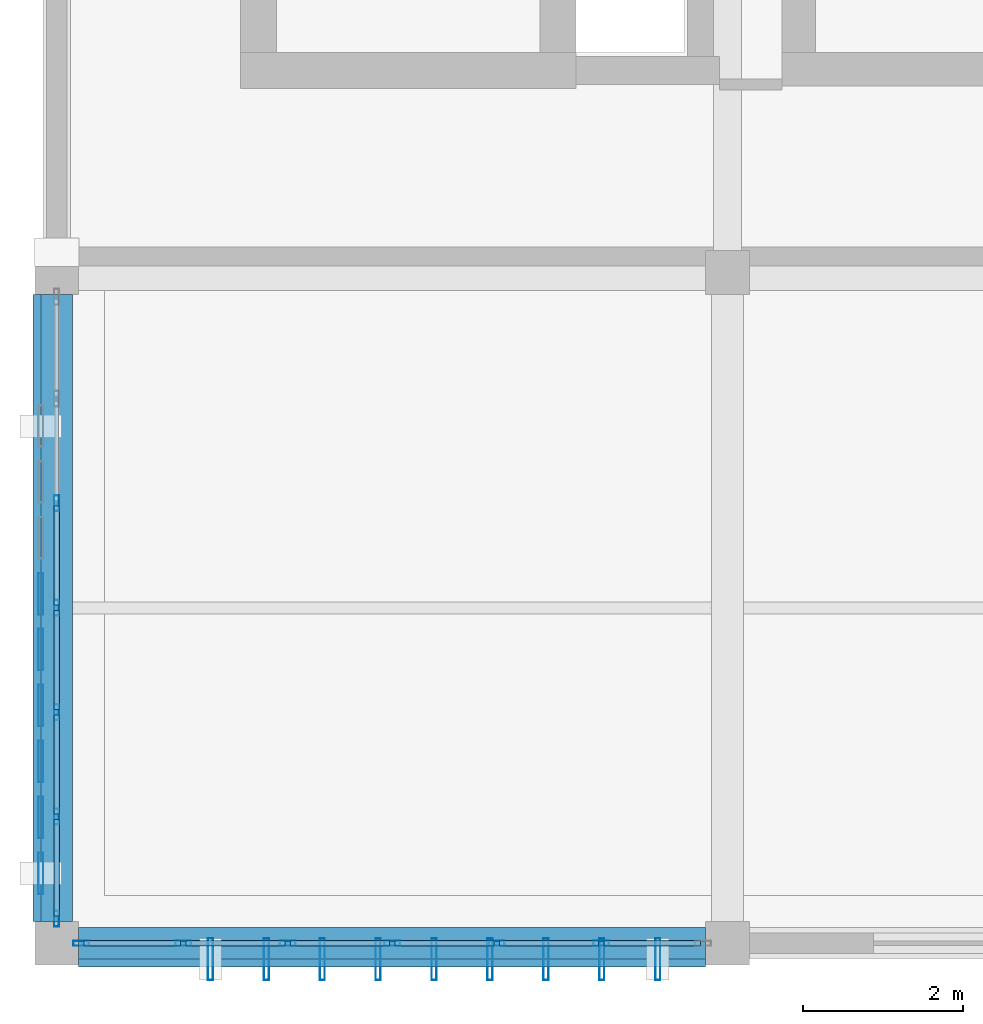
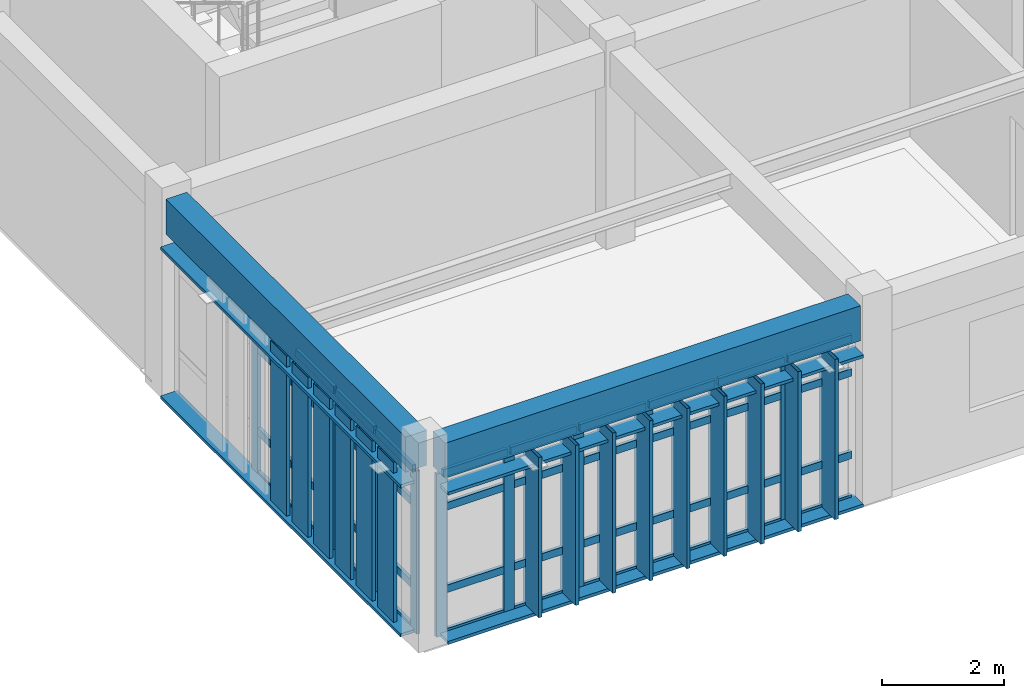
# One storey, part 4 of 21: 69 members, 2 beams, 2 elements without a shape of their own.
"""IFC4 building model written with IfcOpenShell, lengths in metres."""

from ifc_helpers import new_model, si_unit, direction, frame, origin, origin_2d, place, context, subcontext, project, spatial, rectangle, hollow_rectangle, extrude, material, layer, layer_set, material_profile, profile_set, type_object, element, aggregate, save


model = new_model("IFC4")

# Units and contexts
model_context = context("Model", 3, precision=1e-05, world=origin(), true_north=direction((0.0, 1.0)))
body_context = subcontext(model_context, "Body", "Model", "MODEL_VIEW")
ifc_project = project(units=[si_unit("LENGTHUNIT", "METRE"), si_unit("AREAUNIT", "SQUARE_METRE"), si_unit("VOLUMEUNIT", "CUBIC_METRE"), si_unit("PLANEANGLEUNIT", "RADIAN"), si_unit("MASSUNIT", "GRAM", prefix="KILO")], contexts=[model_context])

# Site, building, storey
site_placement = place(None, origin())
site = spatial("IfcSite", under=ifc_project, at=site_placement, CompositionType="ELEMENT")
building_placement = place(site_placement, origin())
building = spatial("IfcBuilding", under=site, at=building_placement, Name="Krzemoval Escarpment Law Courts", CompositionType="ELEMENT")
storey_placement = place(building_placement, frame((0.0, 0.0, 37.800048828125)))
storey = spatial("IfcBuildingStorey", under=building, at=storey_placement, Name="L08", CompositionType="ELEMENT", Elevation=37.800048828125)

# Beams
ifc_material_1 = material(Name="Concrete C40/50", Category="concrete")
ifc_material_profile_1 = material_profile(ifc_material_1, rectangle(XDim=0.39990234375, YDim=0.699951171875, at=origin_2d()), Name="RCB 400x700")
ifc_profile_set_1 = profile_set([ifc_material_profile_1], Name="Concrete C40/50")
beam_type = type_object("IfcBeamType", Name="BM-RC-400x700", PredefinedType="BEAM", material=ifc_profile_set_1)
beam_1_placement = place(storey_placement, frame((126.27490234375, 85.199951171875, 3.60986328125), z_axis=(1.0, 0.0, 0.0), x_axis=(0.0, 1.0, 0.0)))
element("IfcBeam", 1, at=beam_1_placement, inside=storey, type_object=beam_type, Name="Beam FG-L08-2743", PredefinedType="BEAM", context=body_context, shape_type="SweptSolid", body=[
    extrude(rectangle(XDim=0.39990234375, YDim=0.699951171875, at=origin_2d()), origin(), (0.0, 0.0, 1.0), 7.85009765625),
])
beam_2_placement = place(storey_placement, frame((126.0, 85.47509765625, 3.60986328125), z_axis=(0.0, 1.0, 0.0), x_axis=(-1.0, 0.0, 0.0)))
element("IfcBeam", 2, at=beam_2_placement, inside=storey, type_object=beam_type, Name="Beam FG-L08-2759", PredefinedType="BEAM", context=body_context, shape_type="SweptSolid", body=[
    extrude(rectangle(XDim=0.39990234375, YDim=0.699951171875, at=origin_2d()), origin(), (0.0, 0.0, 1.0), 7.849853515625),
])

# Curtain wall, members
ifc_material_2 = material(Name="Aluminium 6063-T6", Category="aluminium")
ifc_layer = layer(ifc_material_2, 0.219970703125)
ifc_layer_set = layer_set([ifc_layer], Name="Aluminium 6063-T6")
curtain_wall_type = type_object("IfcCurtainWallType", Name="CW-CHMB-4200", PredefinedType="USERDEFINED", material=ifc_layer_set)
curtain_wall_1_placement = place(storey_placement, origin())
curtain_wall_1 = element("IfcCurtainWall", 3, at=curtain_wall_1_placement, inside=storey, type_object=curtain_wall_type, Name="Unitised Curtain Wall FCW-L08-161", ObjectType="UNITISED_CURTAIN_WALL", PredefinedType="USERDEFINED")
ifc_material_3 = material(Name="Aluminium 6063-T6", Category="aluminium")
ifc_material_profile_2 = material_profile(ifc_material_3, hollow_rectangle(XDim=0.06494140625, YDim=0.199951171875, WallThickness=0.00439453125, at=origin_2d()), Name="ALU M65x200")
ifc_profile_set_2 = profile_set([ifc_material_profile_2], Name="Aluminium 6063-T6")
member_type_1 = type_object("IfcMemberType", Name="CWM-65x200", PredefinedType="MULLION", material=ifc_profile_set_2)
member_1_placement = place(storey_placement, frame((132.816650390625, 85.199951171875, 0.0), z_axis=(0.0, 0.0, 1.0), x_axis=(0.0, -1.0, 0.0)))
member_1 = element("IfcMember", 4, at=member_1_placement, type_object=member_type_1, Name="FCW-L08-161 mullion 2", PredefinedType="MULLION", context=body_context, shape_type="SweptSolid", body=[
    extrude(hollow_rectangle(XDim=0.06494140625, YDim=0.199951171875, WallThickness=0.00439453125, at=origin_2d()), origin(), (0.0, 0.0, 1.0), 3.260009765625),
])
member_2_placement = place(storey_placement, frame((131.50830078125, 85.199951171875, 0.0), z_axis=(0.0, 0.0, 1.0), x_axis=(0.0, -1.0, 0.0)))
member_2 = element("IfcMember", 5, at=member_2_placement, type_object=member_type_1, Name="FCW-L08-161 mullion 3", PredefinedType="MULLION", context=body_context, shape_type="SweptSolid", body=[
    extrude(hollow_rectangle(XDim=0.06494140625, YDim=0.199951171875, WallThickness=0.00439453125, at=origin_2d()), origin(), (0.0, 0.0, 1.0), 3.260009765625),
])
member_3_placement = place(storey_placement, frame((130.199951171875, 85.199951171875, 0.0), z_axis=(0.0, 0.0, 1.0), x_axis=(0.0, -1.0, 0.0)))
member_3 = element("IfcMember", 6, at=member_3_placement, type_object=member_type_1, Name="FCW-L08-161 mullion 4", PredefinedType="MULLION", context=body_context, shape_type="SweptSolid", body=[
    extrude(hollow_rectangle(XDim=0.06494140625, YDim=0.199951171875, WallThickness=0.00439453125, at=origin_2d()), origin(), (0.0, 0.0, 1.0), 3.260009765625),
])
member_4_placement = place(storey_placement, frame((128.8916015625, 85.199951171875, 0.0), z_axis=(0.0, 0.0, 1.0), x_axis=(0.0, -1.0, 0.0)))
member_4 = element("IfcMember", 7, at=member_4_placement, type_object=member_type_1, Name="FCW-L08-161 mullion 5", PredefinedType="MULLION", context=body_context, shape_type="SweptSolid", body=[
    extrude(hollow_rectangle(XDim=0.06494140625, YDim=0.199951171875, WallThickness=0.00439453125, at=origin_2d()), origin(), (0.0, 0.0, 1.0), 3.260009765625),
])
member_5_placement = place(storey_placement, frame((127.583251953125, 85.199951171875, 0.0), z_axis=(0.0, 0.0, 1.0), x_axis=(0.0, -1.0, 0.0)))
member_5 = element("IfcMember", 8, at=member_5_placement, type_object=member_type_1, Name="FCW-L08-161 mullion 6", PredefinedType="MULLION", context=body_context, shape_type="SweptSolid", body=[
    extrude(hollow_rectangle(XDim=0.06494140625, YDim=0.199951171875, WallThickness=0.00439453125, at=origin_2d()), origin(), (0.0, 0.0, 1.0), 3.260009765625),
])
member_6_placement = place(storey_placement, frame((126.3076171875, 85.199951171875, 0.0), z_axis=(0.0, 0.0, 1.0), x_axis=(0.0, -1.0, 0.0)))
member_6 = element("IfcMember", 9, at=member_6_placement, type_object=member_type_1, Name="FCW-L08-161 mullion 7", PredefinedType="MULLION", context=body_context, shape_type="SweptSolid", body=[
    extrude(hollow_rectangle(XDim=0.06494140625, YDim=0.199951171875, WallThickness=0.00439453125, at=origin_2d()), origin(), (0.0, 0.0, 1.0), 3.260009765625),
])

curtain_wall_2_placement = place(storey_placement, origin())
curtain_wall_2 = element("IfcCurtainWall", 10, at=curtain_wall_2_placement, inside=storey, type_object=curtain_wall_type, Name="Unitised Curtain Wall FCW-L08-162", ObjectType="UNITISED_CURTAIN_WALL", PredefinedType="USERDEFINED")
member_7_placement = place(storey_placement, frame((126.0, 85.507568359375, 0.0), z_axis=(0.0, 0.0, 1.0), x_axis=(-1.0, 0.0, 0.0)))
member_7 = element("IfcMember", 11, at=member_7_placement, type_object=member_type_1, Name="FCW-L08-162 mullion 1", PredefinedType="MULLION", context=body_context, shape_type="SweptSolid", body=[
    extrude(hollow_rectangle(XDim=0.06494140625, YDim=0.199951171875, WallThickness=0.00439453125, at=origin_2d()), origin(), (0.0, 0.0, 1.0), 3.260009765625),
])
member_8_placement = place(storey_placement, frame((126.0, 86.783447265625, 0.0), z_axis=(0.0, 0.0, 1.0), x_axis=(-1.0, 0.0, 0.0)))
member_8 = element("IfcMember", 12, at=member_8_placement, type_object=member_type_1, Name="FCW-L08-162 mullion 2", PredefinedType="MULLION", context=body_context, shape_type="SweptSolid", body=[
    extrude(hollow_rectangle(XDim=0.06494140625, YDim=0.199951171875, WallThickness=0.00439453125, at=origin_2d()), origin(), (0.0, 0.0, 1.0), 3.260009765625),
])
member_9_placement = place(storey_placement, frame((126.0, 88.091552734375, 0.0), z_axis=(0.0, 0.0, 1.0), x_axis=(-1.0, 0.0, 0.0)))
member_9 = element("IfcMember", 13, at=member_9_placement, type_object=member_type_1, Name="FCW-L08-162 mullion 3", PredefinedType="MULLION", context=body_context, shape_type="SweptSolid", body=[
    extrude(hollow_rectangle(XDim=0.06494140625, YDim=0.199951171875, WallThickness=0.00439453125, at=origin_2d()), origin(), (0.0, 0.0, 1.0), 3.260009765625),
])
member_10_placement = place(storey_placement, frame((126.0, 89.39990234375, 0.0), z_axis=(0.0, 0.0, 1.0), x_axis=(-1.0, 0.0, 0.0)))
member_10 = element("IfcMember", 14, at=member_10_placement, type_object=member_type_1, Name="FCW-L08-162 mullion 4", PredefinedType="MULLION", context=body_context, shape_type="SweptSolid", body=[
    extrude(hollow_rectangle(XDim=0.06494140625, YDim=0.199951171875, WallThickness=0.00439453125, at=origin_2d()), origin(), (0.0, 0.0, 1.0), 3.260009765625),
])
member_11_placement = place(storey_placement, frame((126.0, 90.708251953125, 0.0), z_axis=(0.0, 0.0, 1.0), x_axis=(-1.0, 0.0, 0.0)))
member_11 = element("IfcMember", 15, at=member_11_placement, type_object=member_type_1, Name="FCW-L08-162 mullion 5", PredefinedType="MULLION", context=body_context, shape_type="SweptSolid", body=[
    extrude(hollow_rectangle(XDim=0.06494140625, YDim=0.199951171875, WallThickness=0.00439453125, at=origin_2d()), origin(), (0.0, 0.0, 1.0), 3.260009765625),
])

# Member
ifc_material_4 = material(Name="Aluminium 6063-T6", Category="aluminium")
ifc_material_profile_3 = material_profile(ifc_material_4, hollow_rectangle(XDim=0.06494140625, YDim=0.14990234375, WallThickness=0.00439453125, at=origin_2d()), Name="ALU T65x150")
ifc_profile_set_3 = profile_set([ifc_material_profile_3], Name="Aluminium 6063-T6")
member_type_2 = type_object("IfcMemberType", Name="CWT-65x150", PredefinedType="USERDEFINED", material=ifc_profile_set_3)
member_12_placement = place(storey_placement, frame((134.06005859375, 85.199951171875, 0.032470703125), z_axis=(-1.0, 0.0, 0.0), x_axis=(0.0, -1.0, 0.0)))
member_12 = element("IfcMember", 16, at=member_12_placement, type_object=member_type_2, Name="FCW-L08-161 transom 1.1", ObjectType="TRANSOM", PredefinedType="USERDEFINED", context=body_context, shape_type="SweptSolid", body=[
    extrude(hollow_rectangle(XDim=0.06494140625, YDim=0.14990234375, WallThickness=0.00439453125, at=origin_2d()), origin(), (0.0, 0.0, 1.0), 1.2109375),
])

member_13_placement = place(storey_placement, frame((134.06005859375, 85.199951171875, 0.89990234375), z_axis=(-1.0, 0.0, 0.0), x_axis=(0.0, -1.0, 0.0)))
member_13 = element("IfcMember", 17, at=member_13_placement, type_object=member_type_2, Name="FCW-L08-161 transom 1.2", ObjectType="TRANSOM", PredefinedType="USERDEFINED", context=body_context, shape_type="SweptSolid", body=[
    extrude(hollow_rectangle(XDim=0.06494140625, YDim=0.14990234375, WallThickness=0.00439453125, at=origin_2d()), origin(), (0.0, 0.0, 1.0), 1.2109375),
])

member_14_placement = place(storey_placement, frame((134.06005859375, 85.199951171875, 2.550048828125), z_axis=(-1.0, 0.0, 0.0), x_axis=(0.0, -1.0, 0.0)))
member_14 = element("IfcMember", 18, at=member_14_placement, type_object=member_type_2, Name="FCW-L08-161 transom 1.3", ObjectType="TRANSOM", PredefinedType="USERDEFINED", context=body_context, shape_type="SweptSolid", body=[
    extrude(hollow_rectangle(XDim=0.06494140625, YDim=0.14990234375, WallThickness=0.00439453125, at=origin_2d()), origin(), (0.0, 0.0, 1.0), 1.2109375),
])

member_15_placement = place(storey_placement, frame((134.06005859375, 85.199951171875, 3.2275390625), z_axis=(-1.0, 0.0, 0.0), x_axis=(0.0, -1.0, 0.0)))
member_15 = element("IfcMember", 19, at=member_15_placement, type_object=member_type_2, Name="FCW-L08-161 transom 1.4", ObjectType="TRANSOM", PredefinedType="USERDEFINED", context=body_context, shape_type="SweptSolid", body=[
    extrude(hollow_rectangle(XDim=0.06494140625, YDim=0.14990234375, WallThickness=0.00439453125, at=origin_2d()), origin(), (0.0, 0.0, 1.0), 1.2109375),
])

member_16_placement = place(storey_placement, frame((132.7841796875, 85.199951171875, 0.032470703125), z_axis=(-1.0, 0.0, 0.0), x_axis=(0.0, -1.0, 0.0)))
member_16 = element("IfcMember", 20, at=member_16_placement, type_object=member_type_2, Name="FCW-L08-161 transom 2.1", ObjectType="TRANSOM", PredefinedType="USERDEFINED", context=body_context, shape_type="SweptSolid", body=[
    extrude(hollow_rectangle(XDim=0.06494140625, YDim=0.14990234375, WallThickness=0.00439453125, at=origin_2d()), origin(), (0.0, 0.0, 1.0), 1.243408203125),
])

member_17_placement = place(storey_placement, frame((132.7841796875, 85.199951171875, 0.89990234375), z_axis=(-1.0, 0.0, 0.0), x_axis=(0.0, -1.0, 0.0)))
member_17 = element("IfcMember", 21, at=member_17_placement, type_object=member_type_2, Name="FCW-L08-161 transom 2.2", ObjectType="TRANSOM", PredefinedType="USERDEFINED", context=body_context, shape_type="SweptSolid", body=[
    extrude(hollow_rectangle(XDim=0.06494140625, YDim=0.14990234375, WallThickness=0.00439453125, at=origin_2d()), origin(), (0.0, 0.0, 1.0), 1.243408203125),
])

member_18_placement = place(storey_placement, frame((132.7841796875, 85.199951171875, 2.550048828125), z_axis=(-1.0, 0.0, 0.0), x_axis=(0.0, -1.0, 0.0)))
member_18 = element("IfcMember", 22, at=member_18_placement, type_object=member_type_2, Name="FCW-L08-161 transom 2.3", ObjectType="TRANSOM", PredefinedType="USERDEFINED", context=body_context, shape_type="SweptSolid", body=[
    extrude(hollow_rectangle(XDim=0.06494140625, YDim=0.14990234375, WallThickness=0.00439453125, at=origin_2d()), origin(), (0.0, 0.0, 1.0), 1.243408203125),
])

member_19_placement = place(storey_placement, frame((132.7841796875, 85.199951171875, 3.2275390625), z_axis=(-1.0, 0.0, 0.0), x_axis=(0.0, -1.0, 0.0)))
member_19 = element("IfcMember", 23, at=member_19_placement, type_object=member_type_2, Name="FCW-L08-161 transom 2.4", ObjectType="TRANSOM", PredefinedType="USERDEFINED", context=body_context, shape_type="SweptSolid", body=[
    extrude(hollow_rectangle(XDim=0.06494140625, YDim=0.14990234375, WallThickness=0.00439453125, at=origin_2d()), origin(), (0.0, 0.0, 1.0), 1.243408203125),
])

member_20_placement = place(storey_placement, frame((131.475830078125, 85.199951171875, 0.032470703125), z_axis=(-1.0, 0.0, 0.0), x_axis=(0.0, -1.0, 0.0)))
member_20 = element("IfcMember", 24, at=member_20_placement, type_object=member_type_2, Name="FCW-L08-161 transom 3.1", ObjectType="TRANSOM", PredefinedType="USERDEFINED", context=body_context, shape_type="SweptSolid", body=[
    extrude(hollow_rectangle(XDim=0.06494140625, YDim=0.14990234375, WallThickness=0.00439453125, at=origin_2d()), origin(), (0.0, 0.0, 1.0), 1.243408203125),
])

member_21_placement = place(storey_placement, frame((131.475830078125, 85.199951171875, 0.89990234375), z_axis=(-1.0, 0.0, 0.0), x_axis=(0.0, -1.0, 0.0)))
member_21 = element("IfcMember", 25, at=member_21_placement, type_object=member_type_2, Name="FCW-L08-161 transom 3.2", ObjectType="TRANSOM", PredefinedType="USERDEFINED", context=body_context, shape_type="SweptSolid", body=[
    extrude(hollow_rectangle(XDim=0.06494140625, YDim=0.14990234375, WallThickness=0.00439453125, at=origin_2d()), origin(), (0.0, 0.0, 1.0), 1.243408203125),
])

member_22_placement = place(storey_placement, frame((131.475830078125, 85.199951171875, 2.550048828125), z_axis=(-1.0, 0.0, 0.0), x_axis=(0.0, -1.0, 0.0)))
member_22 = element("IfcMember", 26, at=member_22_placement, type_object=member_type_2, Name="FCW-L08-161 transom 3.3", ObjectType="TRANSOM", PredefinedType="USERDEFINED", context=body_context, shape_type="SweptSolid", body=[
    extrude(hollow_rectangle(XDim=0.06494140625, YDim=0.14990234375, WallThickness=0.00439453125, at=origin_2d()), origin(), (0.0, 0.0, 1.0), 1.243408203125),
])

member_23_placement = place(storey_placement, frame((131.475830078125, 85.199951171875, 3.2275390625), z_axis=(-1.0, 0.0, 0.0), x_axis=(0.0, -1.0, 0.0)))
member_23 = element("IfcMember", 27, at=member_23_placement, type_object=member_type_2, Name="FCW-L08-161 transom 3.4", ObjectType="TRANSOM", PredefinedType="USERDEFINED", context=body_context, shape_type="SweptSolid", body=[
    extrude(hollow_rectangle(XDim=0.06494140625, YDim=0.14990234375, WallThickness=0.00439453125, at=origin_2d()), origin(), (0.0, 0.0, 1.0), 1.243408203125),
])

member_24_placement = place(storey_placement, frame((130.16748046875, 85.199951171875, 0.032470703125), z_axis=(-1.0, 0.0, 0.0), x_axis=(0.0, -1.0, 0.0)))
member_24 = element("IfcMember", 28, at=member_24_placement, type_object=member_type_2, Name="FCW-L08-161 transom 4.1", ObjectType="TRANSOM", PredefinedType="USERDEFINED", context=body_context, shape_type="SweptSolid", body=[
    extrude(hollow_rectangle(XDim=0.06494140625, YDim=0.14990234375, WallThickness=0.00439453125, at=origin_2d()), origin(), (0.0, 0.0, 1.0), 1.243408203125),
])

member_25_placement = place(storey_placement, frame((130.16748046875, 85.199951171875, 0.89990234375), z_axis=(-1.0, 0.0, 0.0), x_axis=(0.0, -1.0, 0.0)))
member_25 = element("IfcMember", 29, at=member_25_placement, type_object=member_type_2, Name="FCW-L08-161 transom 4.2", ObjectType="TRANSOM", PredefinedType="USERDEFINED", context=body_context, shape_type="SweptSolid", body=[
    extrude(hollow_rectangle(XDim=0.06494140625, YDim=0.14990234375, WallThickness=0.00439453125, at=origin_2d()), origin(), (0.0, 0.0, 1.0), 1.243408203125),
])

member_26_placement = place(storey_placement, frame((130.16748046875, 85.199951171875, 2.550048828125), z_axis=(-1.0, 0.0, 0.0), x_axis=(0.0, -1.0, 0.0)))
member_26 = element("IfcMember", 30, at=member_26_placement, type_object=member_type_2, Name="FCW-L08-161 transom 4.3", ObjectType="TRANSOM", PredefinedType="USERDEFINED", context=body_context, shape_type="SweptSolid", body=[
    extrude(hollow_rectangle(XDim=0.06494140625, YDim=0.14990234375, WallThickness=0.00439453125, at=origin_2d()), origin(), (0.0, 0.0, 1.0), 1.243408203125),
])

member_27_placement = place(storey_placement, frame((130.16748046875, 85.199951171875, 3.2275390625), z_axis=(-1.0, 0.0, 0.0), x_axis=(0.0, -1.0, 0.0)))
member_27 = element("IfcMember", 31, at=member_27_placement, type_object=member_type_2, Name="FCW-L08-161 transom 4.4", ObjectType="TRANSOM", PredefinedType="USERDEFINED", context=body_context, shape_type="SweptSolid", body=[
    extrude(hollow_rectangle(XDim=0.06494140625, YDim=0.14990234375, WallThickness=0.00439453125, at=origin_2d()), origin(), (0.0, 0.0, 1.0), 1.243408203125),
])

member_28_placement = place(storey_placement, frame((128.859130859375, 85.199951171875, 0.032470703125), z_axis=(-1.0, 0.0, 0.0), x_axis=(0.0, -1.0, 0.0)))
member_28 = element("IfcMember", 32, at=member_28_placement, type_object=member_type_2, Name="FCW-L08-161 transom 5.1", ObjectType="TRANSOM", PredefinedType="USERDEFINED", context=body_context, shape_type="SweptSolid", body=[
    extrude(hollow_rectangle(XDim=0.06494140625, YDim=0.14990234375, WallThickness=0.00439453125, at=origin_2d()), origin(), (0.0, 0.0, 1.0), 1.243408203125),
])

member_29_placement = place(storey_placement, frame((128.859130859375, 85.199951171875, 0.89990234375), z_axis=(-1.0, 0.0, 0.0), x_axis=(0.0, -1.0, 0.0)))
member_29 = element("IfcMember", 33, at=member_29_placement, type_object=member_type_2, Name="FCW-L08-161 transom 5.2", ObjectType="TRANSOM", PredefinedType="USERDEFINED", context=body_context, shape_type="SweptSolid", body=[
    extrude(hollow_rectangle(XDim=0.06494140625, YDim=0.14990234375, WallThickness=0.00439453125, at=origin_2d()), origin(), (0.0, 0.0, 1.0), 1.243408203125),
])

member_30_placement = place(storey_placement, frame((128.859130859375, 85.199951171875, 2.550048828125), z_axis=(-1.0, 0.0, 0.0), x_axis=(0.0, -1.0, 0.0)))
member_30 = element("IfcMember", 34, at=member_30_placement, type_object=member_type_2, Name="FCW-L08-161 transom 5.3", ObjectType="TRANSOM", PredefinedType="USERDEFINED", context=body_context, shape_type="SweptSolid", body=[
    extrude(hollow_rectangle(XDim=0.06494140625, YDim=0.14990234375, WallThickness=0.00439453125, at=origin_2d()), origin(), (0.0, 0.0, 1.0), 1.243408203125),
])

member_31_placement = place(storey_placement, frame((128.859130859375, 85.199951171875, 3.2275390625), z_axis=(-1.0, 0.0, 0.0), x_axis=(0.0, -1.0, 0.0)))
member_31 = element("IfcMember", 35, at=member_31_placement, type_object=member_type_2, Name="FCW-L08-161 transom 5.4", ObjectType="TRANSOM", PredefinedType="USERDEFINED", context=body_context, shape_type="SweptSolid", body=[
    extrude(hollow_rectangle(XDim=0.06494140625, YDim=0.14990234375, WallThickness=0.00439453125, at=origin_2d()), origin(), (0.0, 0.0, 1.0), 1.243408203125),
])

member_32_placement = place(storey_placement, frame((127.55078125, 85.199951171875, 0.032470703125), z_axis=(-1.0, 0.0, 0.0), x_axis=(0.0, -1.0, 0.0)))
member_32 = element("IfcMember", 36, at=member_32_placement, type_object=member_type_2, Name="FCW-L08-161 transom 6.1", ObjectType="TRANSOM", PredefinedType="USERDEFINED", context=body_context, shape_type="SweptSolid", body=[
    extrude(hollow_rectangle(XDim=0.06494140625, YDim=0.14990234375, WallThickness=0.00439453125, at=origin_2d()), origin(), (0.0, 0.0, 1.0), 1.210693359375),
])

member_33_placement = place(storey_placement, frame((127.55078125, 85.199951171875, 0.89990234375), z_axis=(-1.0, 0.0, 0.0), x_axis=(0.0, -1.0, 0.0)))
member_33 = element("IfcMember", 37, at=member_33_placement, type_object=member_type_2, Name="FCW-L08-161 transom 6.2", ObjectType="TRANSOM", PredefinedType="USERDEFINED", context=body_context, shape_type="SweptSolid", body=[
    extrude(hollow_rectangle(XDim=0.06494140625, YDim=0.14990234375, WallThickness=0.00439453125, at=origin_2d()), origin(), (0.0, 0.0, 1.0), 1.210693359375),
])

member_34_placement = place(storey_placement, frame((127.55078125, 85.199951171875, 2.550048828125), z_axis=(-1.0, 0.0, 0.0), x_axis=(0.0, -1.0, 0.0)))
member_34 = element("IfcMember", 38, at=member_34_placement, type_object=member_type_2, Name="FCW-L08-161 transom 6.3", ObjectType="TRANSOM", PredefinedType="USERDEFINED", context=body_context, shape_type="SweptSolid", body=[
    extrude(hollow_rectangle(XDim=0.06494140625, YDim=0.14990234375, WallThickness=0.00439453125, at=origin_2d()), origin(), (0.0, 0.0, 1.0), 1.210693359375),
])

member_35_placement = place(storey_placement, frame((127.55078125, 85.199951171875, 3.2275390625), z_axis=(-1.0, 0.0, 0.0), x_axis=(0.0, -1.0, 0.0)))
member_35 = element("IfcMember", 39, at=member_35_placement, type_object=member_type_2, Name="FCW-L08-161 transom 6.4", ObjectType="TRANSOM", PredefinedType="USERDEFINED", context=body_context, shape_type="SweptSolid", body=[
    extrude(hollow_rectangle(XDim=0.06494140625, YDim=0.14990234375, WallThickness=0.00439453125, at=origin_2d()), origin(), (0.0, 0.0, 1.0), 1.210693359375),
])

aggregate(curtain_wall_1, [member_1, member_2, member_3, member_4, member_5, member_6, member_12, member_13, member_14, member_15, member_16, member_17, member_18, member_19, member_20, member_21, member_22, member_23, member_24, member_25, member_26, member_27, member_28, member_29, member_30, member_31, member_32, member_33, member_34, member_35])

member_36_placement = place(storey_placement, frame((126.0, 85.5400390625, 0.032470703125), z_axis=(0.0, 1.0, 0.0), x_axis=(-1.0, 0.0, 0.0)))
member_36 = element("IfcMember", 40, at=member_36_placement, type_object=member_type_2, Name="FCW-L08-162 transom 1.1", ObjectType="TRANSOM", PredefinedType="USERDEFINED", context=body_context, shape_type="SweptSolid", body=[
    extrude(hollow_rectangle(XDim=0.06494140625, YDim=0.14990234375, WallThickness=0.00439453125, at=origin_2d()), origin(), (0.0, 0.0, 1.0), 1.210693359375),
])

member_37_placement = place(storey_placement, frame((126.0, 85.5400390625, 0.89990234375), z_axis=(0.0, 1.0, 0.0), x_axis=(-1.0, 0.0, 0.0)))
member_37 = element("IfcMember", 41, at=member_37_placement, type_object=member_type_2, Name="FCW-L08-162 transom 1.2", ObjectType="TRANSOM", PredefinedType="USERDEFINED", context=body_context, shape_type="SweptSolid", body=[
    extrude(hollow_rectangle(XDim=0.06494140625, YDim=0.14990234375, WallThickness=0.00439453125, at=origin_2d()), origin(), (0.0, 0.0, 1.0), 1.210693359375),
])

member_38_placement = place(storey_placement, frame((126.0, 85.5400390625, 2.550048828125), z_axis=(0.0, 1.0, 0.0), x_axis=(-1.0, 0.0, 0.0)))
member_38 = element("IfcMember", 42, at=member_38_placement, type_object=member_type_2, Name="FCW-L08-162 transom 1.3", ObjectType="TRANSOM", PredefinedType="USERDEFINED", context=body_context, shape_type="SweptSolid", body=[
    extrude(hollow_rectangle(XDim=0.06494140625, YDim=0.14990234375, WallThickness=0.00439453125, at=origin_2d()), origin(), (0.0, 0.0, 1.0), 1.210693359375),
])

member_39_placement = place(storey_placement, frame((126.0, 85.5400390625, 3.2275390625), z_axis=(0.0, 1.0, 0.0), x_axis=(-1.0, 0.0, 0.0)))
member_39 = element("IfcMember", 43, at=member_39_placement, type_object=member_type_2, Name="FCW-L08-162 transom 1.4", ObjectType="TRANSOM", PredefinedType="USERDEFINED", context=body_context, shape_type="SweptSolid", body=[
    extrude(hollow_rectangle(XDim=0.06494140625, YDim=0.14990234375, WallThickness=0.00439453125, at=origin_2d()), origin(), (0.0, 0.0, 1.0), 1.210693359375),
])

member_40_placement = place(storey_placement, frame((126.0, 86.81591796875, 0.032470703125), z_axis=(0.0, 1.0, 0.0), x_axis=(-1.0, 0.0, 0.0)))
member_40 = element("IfcMember", 44, at=member_40_placement, type_object=member_type_2, Name="FCW-L08-162 transom 2.1", ObjectType="TRANSOM", PredefinedType="USERDEFINED", context=body_context, shape_type="SweptSolid", body=[
    extrude(hollow_rectangle(XDim=0.06494140625, YDim=0.14990234375, WallThickness=0.00439453125, at=origin_2d()), origin(), (0.0, 0.0, 1.0), 1.2431640625),
])

member_41_placement = place(storey_placement, frame((126.0, 86.81591796875, 0.89990234375), z_axis=(0.0, 1.0, 0.0), x_axis=(-1.0, 0.0, 0.0)))
member_41 = element("IfcMember", 45, at=member_41_placement, type_object=member_type_2, Name="FCW-L08-162 transom 2.2", ObjectType="TRANSOM", PredefinedType="USERDEFINED", context=body_context, shape_type="SweptSolid", body=[
    extrude(hollow_rectangle(XDim=0.06494140625, YDim=0.14990234375, WallThickness=0.00439453125, at=origin_2d()), origin(), (0.0, 0.0, 1.0), 1.2431640625),
])

member_42_placement = place(storey_placement, frame((126.0, 86.81591796875, 2.550048828125), z_axis=(0.0, 1.0, 0.0), x_axis=(-1.0, 0.0, 0.0)))
member_42 = element("IfcMember", 46, at=member_42_placement, type_object=member_type_2, Name="FCW-L08-162 transom 2.3", ObjectType="TRANSOM", PredefinedType="USERDEFINED", context=body_context, shape_type="SweptSolid", body=[
    extrude(hollow_rectangle(XDim=0.06494140625, YDim=0.14990234375, WallThickness=0.00439453125, at=origin_2d()), origin(), (0.0, 0.0, 1.0), 1.2431640625),
])

member_43_placement = place(storey_placement, frame((126.0, 86.81591796875, 3.2275390625), z_axis=(0.0, 1.0, 0.0), x_axis=(-1.0, 0.0, 0.0)))
member_43 = element("IfcMember", 47, at=member_43_placement, type_object=member_type_2, Name="FCW-L08-162 transom 2.4", ObjectType="TRANSOM", PredefinedType="USERDEFINED", context=body_context, shape_type="SweptSolid", body=[
    extrude(hollow_rectangle(XDim=0.06494140625, YDim=0.14990234375, WallThickness=0.00439453125, at=origin_2d()), origin(), (0.0, 0.0, 1.0), 1.2431640625),
])

member_44_placement = place(storey_placement, frame((126.0, 88.124267578125, 0.032470703125), z_axis=(0.0, 1.0, 0.0), x_axis=(-1.0, 0.0, 0.0)))
member_44 = element("IfcMember", 48, at=member_44_placement, type_object=member_type_2, Name="FCW-L08-162 transom 3.1", ObjectType="TRANSOM", PredefinedType="USERDEFINED", context=body_context, shape_type="SweptSolid", body=[
    extrude(hollow_rectangle(XDim=0.06494140625, YDim=0.14990234375, WallThickness=0.00439453125, at=origin_2d()), origin(), (0.0, 0.0, 1.0), 1.2431640625),
])

member_45_placement = place(storey_placement, frame((126.0, 88.124267578125, 0.89990234375), z_axis=(0.0, 1.0, 0.0), x_axis=(-1.0, 0.0, 0.0)))
member_45 = element("IfcMember", 49, at=member_45_placement, type_object=member_type_2, Name="FCW-L08-162 transom 3.2", ObjectType="TRANSOM", PredefinedType="USERDEFINED", context=body_context, shape_type="SweptSolid", body=[
    extrude(hollow_rectangle(XDim=0.06494140625, YDim=0.14990234375, WallThickness=0.00439453125, at=origin_2d()), origin(), (0.0, 0.0, 1.0), 1.2431640625),
])

member_46_placement = place(storey_placement, frame((126.0, 88.124267578125, 2.550048828125), z_axis=(0.0, 1.0, 0.0), x_axis=(-1.0, 0.0, 0.0)))
member_46 = element("IfcMember", 50, at=member_46_placement, type_object=member_type_2, Name="FCW-L08-162 transom 3.3", ObjectType="TRANSOM", PredefinedType="USERDEFINED", context=body_context, shape_type="SweptSolid", body=[
    extrude(hollow_rectangle(XDim=0.06494140625, YDim=0.14990234375, WallThickness=0.00439453125, at=origin_2d()), origin(), (0.0, 0.0, 1.0), 1.2431640625),
])

member_47_placement = place(storey_placement, frame((126.0, 88.124267578125, 3.2275390625), z_axis=(0.0, 1.0, 0.0), x_axis=(-1.0, 0.0, 0.0)))
member_47 = element("IfcMember", 51, at=member_47_placement, type_object=member_type_2, Name="FCW-L08-162 transom 3.4", ObjectType="TRANSOM", PredefinedType="USERDEFINED", context=body_context, shape_type="SweptSolid", body=[
    extrude(hollow_rectangle(XDim=0.06494140625, YDim=0.14990234375, WallThickness=0.00439453125, at=origin_2d()), origin(), (0.0, 0.0, 1.0), 1.2431640625),
])

member_48_placement = place(storey_placement, frame((126.0, 89.4326171875, 0.032470703125), z_axis=(0.0, 1.0, 0.0), x_axis=(-1.0, 0.0, 0.0)))
member_48 = element("IfcMember", 52, at=member_48_placement, type_object=member_type_2, Name="FCW-L08-162 transom 4.1", ObjectType="TRANSOM", PredefinedType="USERDEFINED", context=body_context, shape_type="SweptSolid", body=[
    extrude(hollow_rectangle(XDim=0.06494140625, YDim=0.14990234375, WallThickness=0.00439453125, at=origin_2d()), origin(), (0.0, 0.0, 1.0), 1.2431640625),
])

member_49_placement = place(storey_placement, frame((126.0, 89.4326171875, 0.89990234375), z_axis=(0.0, 1.0, 0.0), x_axis=(-1.0, 0.0, 0.0)))
member_49 = element("IfcMember", 53, at=member_49_placement, type_object=member_type_2, Name="FCW-L08-162 transom 4.2", ObjectType="TRANSOM", PredefinedType="USERDEFINED", context=body_context, shape_type="SweptSolid", body=[
    extrude(hollow_rectangle(XDim=0.06494140625, YDim=0.14990234375, WallThickness=0.00439453125, at=origin_2d()), origin(), (0.0, 0.0, 1.0), 1.2431640625),
])

member_50_placement = place(storey_placement, frame((126.0, 89.4326171875, 2.550048828125), z_axis=(0.0, 1.0, 0.0), x_axis=(-1.0, 0.0, 0.0)))
member_50 = element("IfcMember", 54, at=member_50_placement, type_object=member_type_2, Name="FCW-L08-162 transom 4.3", ObjectType="TRANSOM", PredefinedType="USERDEFINED", context=body_context, shape_type="SweptSolid", body=[
    extrude(hollow_rectangle(XDim=0.06494140625, YDim=0.14990234375, WallThickness=0.00439453125, at=origin_2d()), origin(), (0.0, 0.0, 1.0), 1.2431640625),
])

aggregate(curtain_wall_2, [member_7, member_8, member_9, member_10, member_11, member_36, member_37, member_38, member_39, member_40, member_41, member_42, member_43, member_44, member_45, member_46, member_47, member_48, member_49, member_50])

# Members
ifc_material_5 = material(Name="Anodised Aluminium Alloy 6063-T6", Category="aluminium")
ifc_material_profile_4 = material_profile(ifc_material_5, hollow_rectangle(XDim=0.06005859375, YDim=0.320068359375, WallThickness=0.00390625, at=origin_2d()), Name="ALU LVR 60x320")
ifc_profile_set_4 = profile_set([ifc_material_profile_4], Name="Anodised Aluminium Alloy 6063-T6")
member_type_3 = type_object("IfcMemberType", Name="LVR-ALU-320", PredefinedType="USERDEFINED", material=ifc_profile_set_4)
for number, where, z_axis, x_axis, name in (
    (55, (134.125, 85.06005859375, 0.030029296875), (-1.0, 0.0, 0.0), (0.0, 0.0, 1.0), "Sunshade Support Rail FSR-L08-1056"),
    (56, (134.125, 85.06005859375, 3.010009765625), (-1.0, 0.0, 0.0), (0.0, 0.0, 1.0), "Sunshade Support Rail FSR-L08-1057"),
):
    element("IfcMember", number, at=place(storey_placement, frame(where, z_axis=z_axis, x_axis=x_axis)), inside=storey, type_object=member_type_3, Name=name, ObjectType="SUNSHADE_LOUVRE", PredefinedType="USERDEFINED", context=body_context, shape_type="SweptSolid", body=[
        extrude(hollow_rectangle(XDim=0.06005859375, YDim=0.320068359375, WallThickness=0.00390625, at=origin_2d()), origin(), (0.0, 0.0, 1.0), 7.85009765625),
    ])
for number, where, z_axis, x_axis, name in (
    (57, (125.860107421875, 85.47509765625, 0.030029296875), (0.0, 1.0, 0.0), (0.0, 0.0, 1.0), "Sunshade Support Rail FSR-L08-1067"),
    (58, (125.860107421875, 85.47509765625, 3.010009765625), (0.0, 1.0, 0.0), (0.0, 0.0, 1.0), "Sunshade Support Rail FSR-L08-1068"),
):
    element("IfcMember", number, at=place(storey_placement, frame(where, z_axis=z_axis, x_axis=x_axis)), inside=storey, type_object=member_type_3, Name=name, ObjectType="SUNSHADE_LOUVRE", PredefinedType="USERDEFINED", context=body_context, shape_type="SweptSolid", body=[
        extrude(hollow_rectangle(XDim=0.06005859375, YDim=0.320068359375, WallThickness=0.00390625, at=origin_2d()), origin(), (0.0, 0.0, 1.0), 7.849853515625),
    ])
ifc_material_6 = material(Name="Anodised Aluminium Alloy 6063-T6", Category="aluminium")
ifc_material_profile_5 = material_profile(ifc_material_6, hollow_rectangle(XDim=0.06494140625, YDim=0.52001953125, WallThickness=0.00439453125, at=origin_2d()), Name="ALU LVR 65x520")
ifc_profile_set_5 = profile_set([ifc_material_profile_5], Name="Anodised Aluminium Alloy 6063-T6")
member_type_4 = type_object("IfcMemberType", Name="LVR-ALU-520", PredefinedType="USERDEFINED", material=ifc_profile_set_5)
for number, where, z_axis, x_axis, name in (
    (59, (133.52490234375, 85.0, 0.06005859375), (0.0, 0.0, 1.0), (1.0, 0.0, 0.0), "Sunshade Louvre Fin FLV-L08-1058"),
    (60, (132.824951171875, 85.0, 0.06005859375), (0.0, 0.0, 1.0), (1.0, 0.0, 0.0), "Sunshade Louvre Fin FLV-L08-1059"),
    (61, (132.125, 85.0, 0.06005859375), (0.0, 0.0, 1.0), (1.0, 0.0, 0.0), "Sunshade Louvre Fin FLV-L08-1060"),
    (62, (131.425048828125, 85.0, 0.06005859375), (0.0, 0.0, 1.0), (1.0, 0.0, 0.0), "Sunshade Louvre Fin FLV-L08-1061"),
    (63, (130.72509765625, 85.0, 0.06005859375), (0.0, 0.0, 1.0), (1.0, 0.0, 0.0), "Sunshade Louvre Fin FLV-L08-1062"),
    (64, (130.02490234375, 85.0, 0.06005859375), (0.0, 0.0, 1.0), (1.0, 0.0, 0.0), "Sunshade Louvre Fin FLV-L08-1063"),
    (65, (129.324951171875, 85.0, 0.06005859375), (0.0, 0.0, 1.0), (1.0, 0.0, 0.0), "Sunshade Louvre Fin FLV-L08-1064"),
    (66, (128.625, 85.0, 0.06005859375), (0.0, 0.0, 1.0), (1.0, 0.0, 0.0), "Sunshade Louvre Fin FLV-L08-1065"),
    (67, (127.925048828125, 85.0, 0.06005859375), (0.0, 0.0, 1.0), (1.0, 0.0, 0.0), "Sunshade Louvre Fin FLV-L08-1066"),
    (68, (125.800048828125, 86.074951171875, 0.06005859375), (0.0, 0.0, 1.0), (1.0, 0.0, 0.0), "Sunshade Louvre Fin FLV-L08-1069"),
    (69, (125.800048828125, 86.77490234375, 0.06005859375), (0.0, 0.0, 1.0), (1.0, 0.0, 0.0), "Sunshade Louvre Fin FLV-L08-1070"),
    (70, (125.800048828125, 87.47509765625, 0.06005859375), (0.0, 0.0, 1.0), (1.0, 0.0, 0.0), "Sunshade Louvre Fin FLV-L08-1071"),
    (71, (125.800048828125, 88.175048828125, 0.06005859375), (0.0, 0.0, 1.0), (1.0, 0.0, 0.0), "Sunshade Louvre Fin FLV-L08-1072"),
    (72, (125.800048828125, 88.875, 0.06005859375), (0.0, 0.0, 1.0), (1.0, 0.0, 0.0), "Sunshade Louvre Fin FLV-L08-1073"),
    (73, (125.800048828125, 89.574951171875, 0.06005859375), (0.0, 0.0, 1.0), (1.0, 0.0, 0.0), "Sunshade Louvre Fin FLV-L08-1074"),
):
    element("IfcMember", number, at=place(storey_placement, frame(where, z_axis=z_axis, x_axis=x_axis)), inside=storey, type_object=member_type_4, Name=name, ObjectType="SUNSHADE_LOUVRE", PredefinedType="USERDEFINED", context=body_context, shape_type="SweptSolid", body=[
        extrude(hollow_rectangle(XDim=0.06494140625, YDim=0.52001953125, WallThickness=0.00439453125, at=origin_2d()), origin(), (0.0, 0.0, 1.0), 3.199951171875),
    ])

save(model, "model.ifc")
